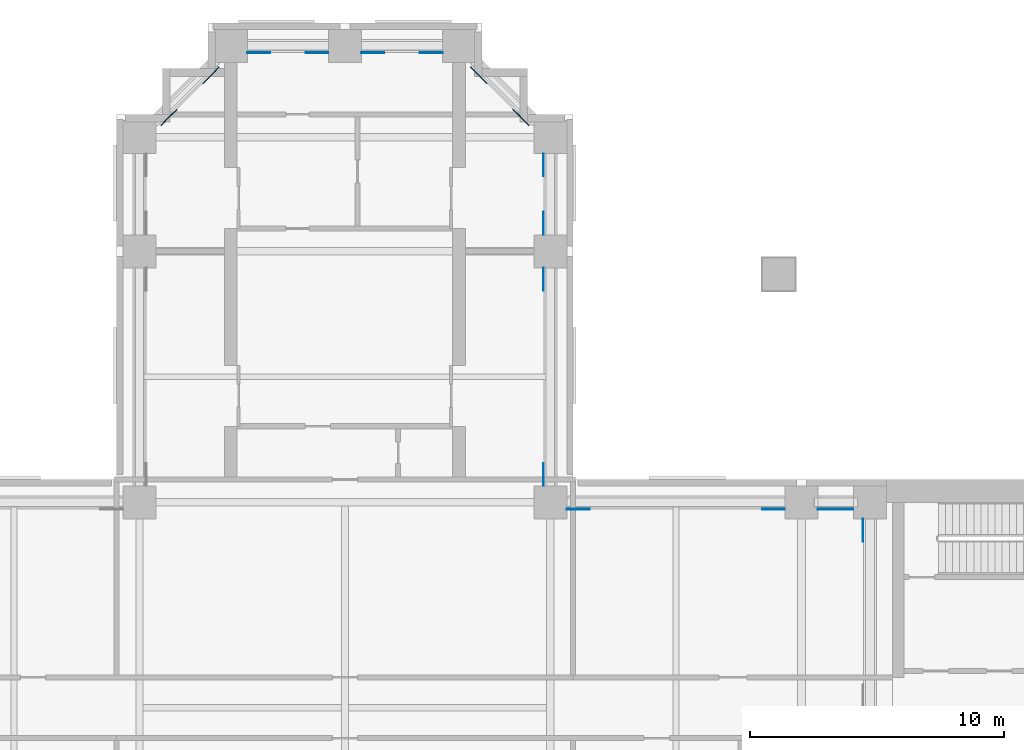
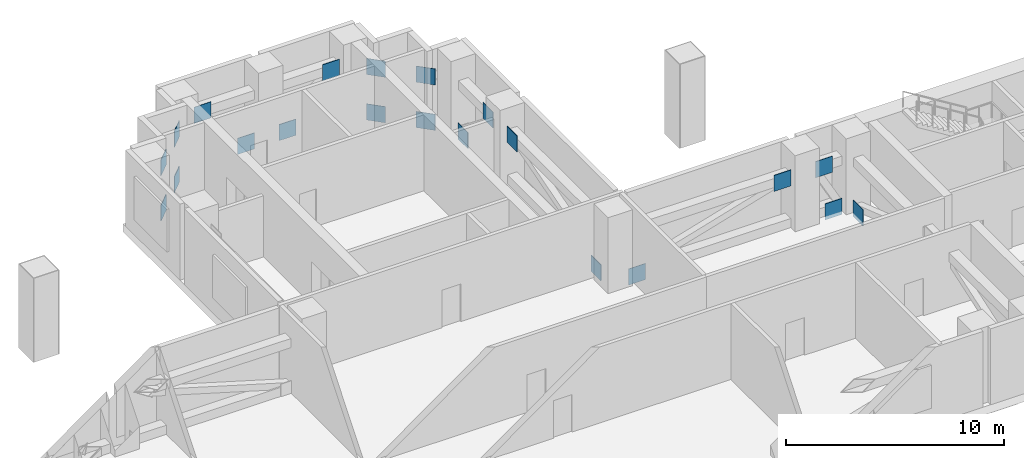
# One storey, part 8 of 10: 21 discrete accessories.
"""IFC4 building model written with IfcOpenShell, lengths in metres."""

from ifc_helpers import new_model, si_unit, direction, frame, origin, origin_2d, place, context, subcontext, project, spatial, rectangle, extrude, material, type_object, element, save


model = new_model("IFC4")

# Units and contexts
model_context = context("Model", 3, precision=1e-05, world=origin(), true_north=direction((0.0, 1.0)))
body_context = subcontext(model_context, "Body", "Model", "MODEL_VIEW")
ifc_project = project(units=[si_unit("LENGTHUNIT", "METRE"), si_unit("AREAUNIT", "SQUARE_METRE"), si_unit("VOLUMEUNIT", "CUBIC_METRE"), si_unit("PLANEANGLEUNIT", "RADIAN"), si_unit("MASSUNIT", "GRAM", prefix="KILO")], contexts=[model_context])

# Site, building, storey
site_placement = place(None, origin())
site = spatial("IfcSite", under=ifc_project, at=site_placement, CompositionType="ELEMENT")
building_placement = place(site_placement, origin())
building = spatial("IfcBuilding", under=site, at=building_placement, Name="Perihelion Cross Residences", CompositionType="ELEMENT")
storey_placement = place(building_placement, frame((0.0, 0.0, 97.89990234375)))
storey = spatial("IfcBuildingStorey", under=building, at=storey_placement, Name="L22", CompositionType="ELEMENT", Elevation=97.89990234375)

# Discrete accessories
ifc_material = material(Name="Steel S355", Category="steel")
discrete_accessory_type = type_object("IfcDiscreteAccessoryType", Name="Gusset plate 900 x 900 x 30, steel S355", PredefinedType="BRACKET", material=ifc_material)
for number, where, z_axis, x_axis, name in (
    (1, (19.60009765625, 7.8310546875, -0.19580078125), (0.0, 0.0, 1.0), (-1.0, 0.0, 0.0), "Gusset plate 900 x 900 x 30"),
    (2, (19.10009765625, 7.8310546875, 2.34619140625), (0.0, 0.0, 1.0), (1.0, 0.0, 0.0), "Gusset plate 900 x 900 x 30"),
    (3, (9.199951171875, 7.8310546875, -0.19580078125), (0.0, 0.0, 1.0), (1.0, 0.0, 0.0), "Gusset plate 900 x 900 x 30"),
    (4, (16.89990234375, 7.8310546875, 2.34619140625), (0.0, 0.0, 1.0), (-1.0, 0.0, 0.0), "Gusset plate 900 x 900 x 30"),
    (5, (7.8310546875, 9.199951171875, -0.19580078125), (0.0, 0.0, 1.0), (0.0, 1.0, 0.0), "Gusset plate 900 x 900 x 30"),
    (6, (7.8310546875, 16.89990234375, 2.34619140625), (0.0, 0.0, 1.0), (0.0, -1.0, 0.0), "Gusset plate 900 x 900 x 30"),
    (7, (7.8310546875, 21.39990234375, -0.19580078125), (0.0, 0.0, 1.0), (0.0, -1.0, 0.0), "Gusset plate 900 x 900 x 30"),
    (8, (7.8310546875, 19.10009765625, 2.34619140625), (0.0, 0.0, 1.0), (0.0, 1.0, 0.0), "Gusset plate 900 x 900 x 30"),
    (9, (6.941650390625, 23.278076171875, -0.19580078125), (0.0, 0.0, 1.0), (-0.707106781187, 0.707106781187, 0.0), "Gusset plate 900 x 900 x 30"),
    (10, (5.278076171875, 24.941650390625, 2.34619140625), (0.0, 0.0, 1.0), (0.707106781187, -0.707106781187, 0.0), "Gusset plate 900 x 900 x 30"),
    (11, (1.10009765625, 25.8310546875, -0.19580078125), (0.0, 0.0, 1.0), (1.0, 0.0, 0.0), "Gusset plate 900 x 900 x 30"),
    (12, (3.39990234375, 25.8310546875, 2.34619140625), (0.0, 0.0, 1.0), (-1.0, 0.0, 0.0), "Gusset plate 900 x 900 x 30"),
    (13, (-1.10009765625, 25.8310546875, -0.19580078125), (0.0, 0.0, 1.0), (-1.0, 0.0, 0.0), "Gusset plate 900 x 900 x 30"),
    (14, (-3.39990234375, 25.8310546875, 2.34619140625), (0.0, 0.0, 1.0), (1.0, 0.0, 0.0), "Gusset plate 900 x 900 x 30"),
    (15, (-6.941650390625, 23.278076171875, -0.19580078125), (0.0, 0.0, 1.0), (0.707106781187, 0.707106781187, 0.0), "Gusset plate 900 x 900 x 30"),
    (16, (-5.278076171875, 24.941650390625, 2.34619140625), (0.0, 0.0, 1.0), (-0.707106781187, -0.707106781187, 0.0), "Gusset plate 900 x 900 x 30"),
    (17, (20.430908203125, 7.0, -0.19580078125), (0.0, 0.0, 1.0), (0.0, -1.0, 0.0), "Gusset plate 900 x 900 x 30"),
    (18, (6.941650390625, 23.278076171875, 2.34619140625), (0.0, 0.0, 1.0), (-0.707106781187, 0.707106781187, 0.0), "Gusset plate 900 x 900 x 30"),
    (19, (5.278076171875, 24.941650390625, -0.19580078125), (0.0, 0.0, 1.0), (0.707106781187, -0.707106781187, 0.0), "Gusset plate 900 x 900 x 30"),
    (20, (-6.941650390625, 23.278076171875, 2.34619140625), (0.0, 0.0, 1.0), (0.707106781187, 0.707106781187, 0.0), "Gusset plate 900 x 900 x 30"),
    (21, (-5.278076171875, 24.941650390625, -0.19580078125), (0.0, 0.0, 1.0), (-0.707106781187, -0.707106781187, 0.0), "Gusset plate 900 x 900 x 30"),
):
    element("IfcDiscreteAccessory", number, at=place(storey_placement, frame(where, z_axis=z_axis, x_axis=x_axis)), inside=storey, type_object=discrete_accessory_type, Name=name, PredefinedType="BRACKET", context=body_context, shape_type="SweptSolid", body=[
        extrude(rectangle(XDim=0.89990234375, YDim=0.030029296875, at=origin_2d()), origin(), (0.0, 0.0, 1.0), 0.89990234375),
    ])

save(model, "model.ifc")
